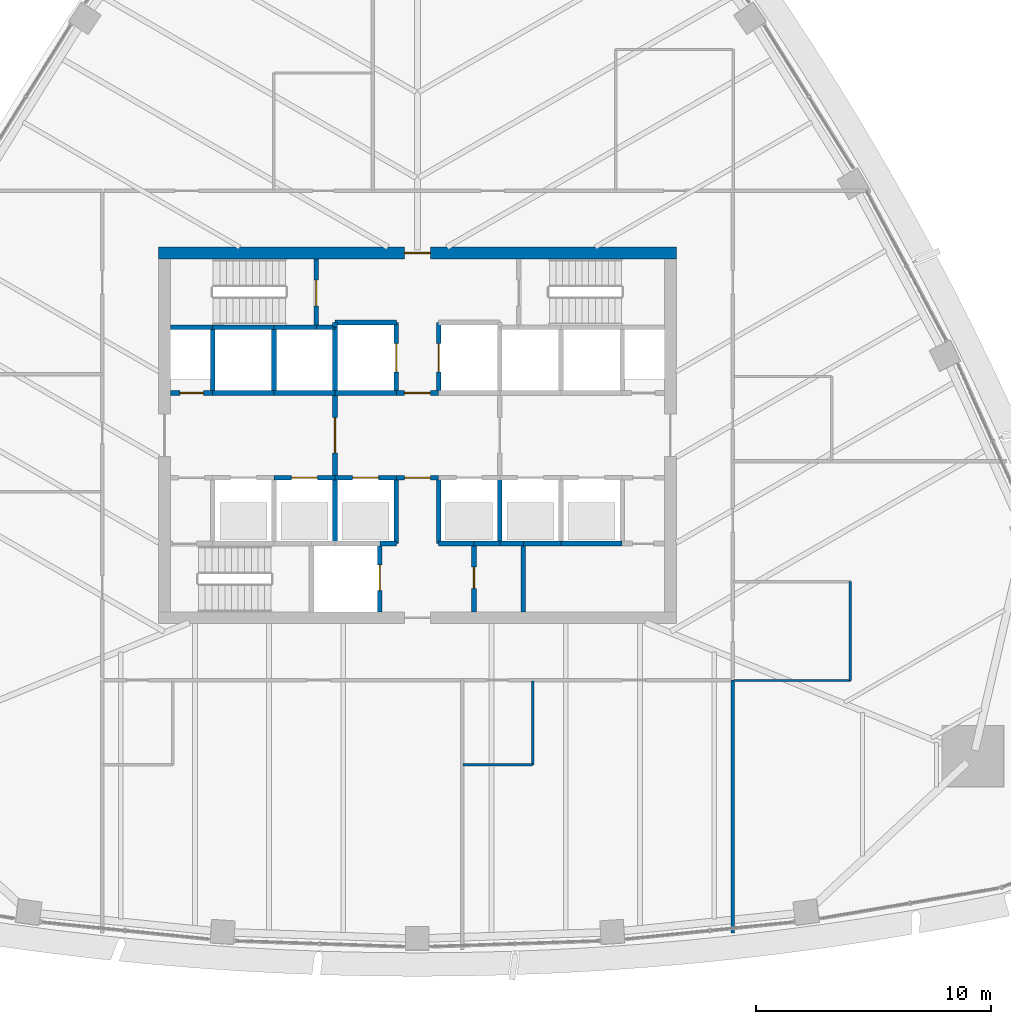
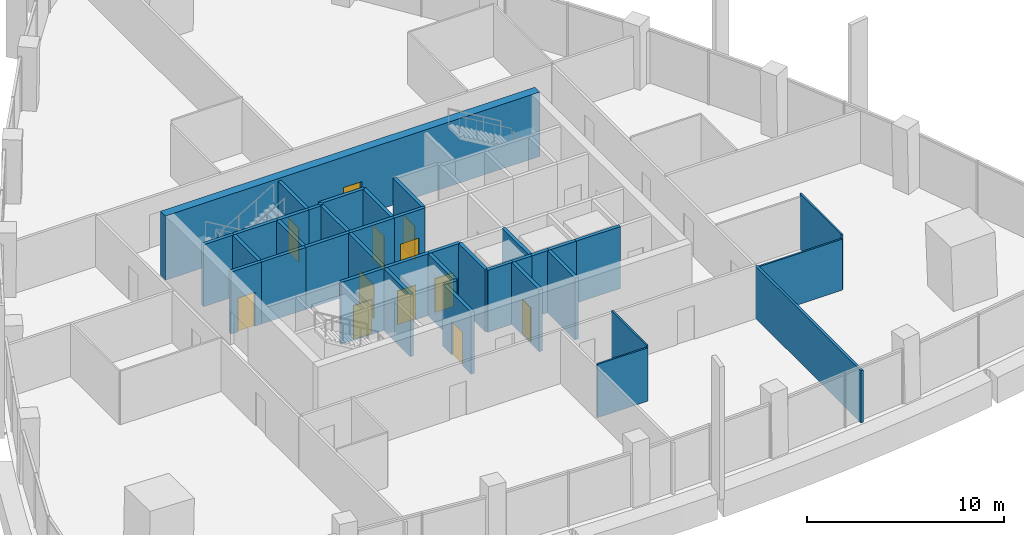
# One storey, part 10 of 19: 40 walls, 12 doors, 12 openings.
"""IFC4 building model written with IfcOpenShell, lengths in metres."""

from ifc_helpers import new_model, si_unit, direction, frame, frame_2d, origin, place, context, subcontext, project, spatial, rectangle, extrude, material, layer, layer_set, type_object, element, fill, save


model = new_model("IFC4")

# Units and contexts
model_context = context("Model", 3, precision=1e-05, world=origin(), true_north=direction((0.0, 1.0)))
body_context = subcontext(model_context, "Body", "Model", "MODEL_VIEW")
ifc_project = project(units=[si_unit("LENGTHUNIT", "METRE"), si_unit("AREAUNIT", "SQUARE_METRE"), si_unit("VOLUMEUNIT", "CUBIC_METRE"), si_unit("PLANEANGLEUNIT", "RADIAN"), si_unit("MASSUNIT", "GRAM", prefix="KILO")], contexts=[model_context])

# Site, building, storey
site_placement = place(None, origin())
site = spatial("IfcSite", under=ifc_project, at=site_placement, CompositionType="ELEMENT")
building_placement = place(site_placement, origin())
building = spatial("IfcBuilding", under=site, at=building_placement, Name="Sierra Prisma Convention Tower", CompositionType="ELEMENT")
storey_placement = place(building_placement, frame((0.0, 0.0, 177.800048828125)))
storey = spatial("IfcBuildingStorey", under=building, at=storey_placement, Name="L39", CompositionType="ELEMENT", Elevation=177.800048828125)

# Walls
ifc_material_1 = material(Name="Gypsum board partition", Category="gypsum")
ifc_layer_1 = layer(ifc_material_1, 0.10009765625)
ifc_layer_set_1 = layer_set([ifc_layer_1], Name="Bathroom partition 100")
wall_type_1 = type_object("IfcWallType", Name="Bathroom partition 100", PredefinedType="PARTITIONING", material=ifc_layer_set_1)
wall_1_placement = place(storey_placement, frame((4.89990234375, -10.429931640625, 0.0), z_axis=(0.0, 0.0, 1.0), x_axis=(0.0, -1.0, 0.0)))
element("IfcWall", 1, at=wall_1_placement, inside=storey, type_object=wall_type_1, Name="Partition L39 bath 7", PredefinedType="PARTITIONING", context=body_context, shape_type="SweptSolid", body=[
    extrude(rectangle(XDim=3.570068359375, YDim=0.10009765625, at=frame_2d((1.78515625, 0.0))), origin(), (0.0, 0.0, 1.0), 3.449951171875),
])
wall_2_placement = place(storey_placement, frame((4.89990234375, -14.0, 0.0), z_axis=(0.0, 0.0, 1.0), x_axis=(-1.0, 0.0, 0.0)))
element("IfcWall", 2, at=wall_2_placement, inside=storey, type_object=wall_type_1, Name="Partition L39 bath 8", PredefinedType="PARTITIONING", context=body_context, shape_type="SweptSolid", body=[
    extrude(rectangle(XDim=2.969970703125, YDim=0.10009765625, at=frame_2d((1.48486328125, 0.0))), origin(), (0.0, 0.0, 1.0), 3.31689453125),
])
wall_3_placement = place(storey_placement, frame((18.39990234375, -6.219970703125, 0.0), z_axis=(0.0, 0.0, 1.0), x_axis=(0.0, -1.0, 0.0)))
element("IfcWall", 3, at=wall_3_placement, inside=storey, type_object=wall_type_1, Name="Partition L39 bath 13", PredefinedType="PARTITIONING", context=body_context, shape_type="SweptSolid", body=[
    extrude(rectangle(XDim=4.199951171875, YDim=0.10009765625, at=frame_2d((2.10009765625, 0.0))), origin(), (0.0, 0.0, 1.0), 3.449951171875),
])
wall_4_placement = place(storey_placement, frame((18.39990234375, -10.419921875, 0.0), z_axis=(0.0, 0.0, 1.0), x_axis=(-1.0, 0.0, 0.0)))
element("IfcWall", 4, at=wall_4_placement, inside=storey, type_object=wall_type_1, Name="Partition L39 bath 14", PredefinedType="PARTITIONING", context=body_context, shape_type="SweptSolid", body=[
    extrude(rectangle(XDim=4.969970703125, YDim=0.10009765625, at=frame_2d((2.48486328125, 0.0))), origin(), (0.0, 0.0, 1.0), 3.166015625),
])

# Wall, opening, door
ifc_material_2 = material(Name="Concrete C30/37", Category="concrete")
ifc_layer_2 = layer(ifc_material_2, 0.199951171875)
ifc_layer_set_2 = layer_set([ifc_layer_2], Name="Core wall RC 200 C30/37")
wall_type_2 = type_object("IfcWallType", Name="Core wall RC 200 C30/37", PredefinedType="SOLIDWALL", material=ifc_layer_set_2)
wall_5_placement = place(storey_placement, frame((-8.699951171875, 1.800048828125, 0.0), z_axis=(0.0, 0.0, 1.0), x_axis=(-1.0, 0.0, 0.0)))
wall_5 = element("IfcWall", 5, at=wall_5_placement, inside=storey, type_object=wall_type_2, Name="Core wall L39 3", PredefinedType="SOLIDWALL", context=body_context, shape_type="SweptSolid", body=[
    extrude(rectangle(XDim=1.800048828125, YDim=0.199951171875, at=frame_2d((0.89990234375, 0.0))), origin(), (0.0, 0.0, 1.0), 3.849853515625),
])
opening_1_placement = place(wall_5_placement, frame((0.39990234375, 0.0, 0.0)))
opening_1 = element("IfcOpeningElement", 6, at=opening_1_placement, cuts=wall_5, Name="Opening L39-D015", PredefinedType="OPENING", context=body_context, shape_type="SweptSolid", body=[
    extrude(rectangle(XDim=1.0, YDim=2.10009765625, at=frame_2d((0.5, 1.050048828125))), frame((0.0, 0.10009765625, 0.0), z_axis=(0.0, -1.0, 0.0), x_axis=(1.0, 0.0, 0.0)), (0.0, 0.0, 1.0), 0.199951171875),
])
ifc_material_3 = material(Name="Steel fire door leaf", Category="steel")
door_type_1 = type_object("IfcDoorType", Name="Door 1000x2100 FD60S", OperationType="SINGLE_SWING_LEFT", PredefinedType="DOOR", material=ifc_material_3)
door_1_placement = place(opening_1_placement, origin())
door_1 = element("IfcDoor", 7, at=door_1_placement, inside=storey, type_object=door_type_1, Name="Door L39 30", OperationType="SINGLE_SWING_LEFT", OverallHeight=2.10009765625, OverallWidth=1.0, PredefinedType="DOOR", context=body_context, shape_type="SweptSolid", body=[
    extrude(rectangle(XDim=1.0, YDim=2.10009765625, at=frame_2d((0.5, 1.050048828125))), frame((0.0, 0.02490234375, 0.0), z_axis=(0.0, -1.0, 0.0), x_axis=(1.0, 0.0, 0.0)), (0.0, 0.0, 1.0), 0.050048828125),
])
fill(opening_1, door_1)

# Walls
wall_6_placement = place(storey_placement, frame((-8.699951171875, 4.60009765625, 0.0), z_axis=(0.0, 0.0, 1.0), x_axis=(-1.0, 0.0, 0.0)))
element("IfcWall", 8, at=wall_6_placement, inside=storey, type_object=wall_type_2, Name="Core wall L39 4", PredefinedType="SOLIDWALL", context=body_context, shape_type="SweptSolid", body=[
    extrude(rectangle(XDim=1.800048828125, YDim=0.199951171875, at=frame_2d((0.89990234375, 0.0))), origin(), (0.0, 0.0, 1.0), 3.849853515625),
])
wall_7_placement = place(storey_placement, frame((-6.10009765625, 1.800048828125, 0.0), z_axis=(0.0, 0.0, 1.0), x_axis=(-1.0, 0.0, 0.0)))
element("IfcWall", 9, at=wall_7_placement, inside=storey, type_object=wall_type_2, Name="Core wall L39 8", PredefinedType="SOLIDWALL", context=body_context, shape_type="SweptSolid", body=[
    extrude(rectangle(XDim=2.599853515625, YDim=0.199951171875, at=frame_2d((1.2998046875, 0.0))), origin(), (0.0, 0.0, 1.0), 3.849853515625),
])
wall_8_placement = place(storey_placement, frame((-8.699951171875, 1.800048828125, 0.0), z_axis=(0.0, 0.0, 1.0), x_axis=(0.0, 1.0, 0.0)))
element("IfcWall", 10, at=wall_8_placement, inside=storey, type_object=wall_type_2, Name="Core wall L39 9", PredefinedType="SOLIDWALL", context=body_context, shape_type="SweptSolid", body=[
    extrude(rectangle(XDim=2.800048828125, YDim=0.199951171875, at=frame_2d((1.39990234375, 0.0))), origin(), (0.0, 0.0, 1.0), 3.849853515625),
])
wall_9_placement = place(storey_placement, frame((-6.10009765625, 4.60009765625, 0.0), z_axis=(0.0, 0.0, 1.0), x_axis=(-1.0, 0.0, 0.0)))
element("IfcWall", 11, at=wall_9_placement, inside=storey, type_object=wall_type_2, Name="Core wall L39 10", PredefinedType="SOLIDWALL", context=body_context, shape_type="SweptSolid", body=[
    extrude(rectangle(XDim=2.599853515625, YDim=0.199951171875, at=frame_2d((1.2998046875, 0.0))), origin(), (0.0, 0.0, 1.0), 3.849853515625),
])

# Wall, opening, door
wall_10_placement = place(storey_placement, frame((-6.10009765625, -1.800048828125, 0.0), z_axis=(0.0, 0.0, 1.0), x_axis=(1.0, 0.0, 0.0)))
wall_10 = element("IfcWall", 12, at=wall_10_placement, inside=storey, type_object=wall_type_2, Name="Core wall L39 13", PredefinedType="SOLIDWALL", context=body_context, shape_type="SweptSolid", body=[
    extrude(rectangle(XDim=2.60009765625, YDim=0.199951171875, at=frame_2d((1.300048828125, 0.0))), origin(), (0.0, 0.0, 1.0), 3.849853515625),
])
opening_2_placement = place(wall_10_placement, frame((0.75, 0.0, 0.0)))
opening_2 = element("IfcOpeningElement", 13, at=opening_2_placement, cuts=wall_10, Name="Opening L39-D002", PredefinedType="OPENING", context=body_context, shape_type="SweptSolid", body=[
    extrude(rectangle(XDim=1.10009765625, YDim=2.10009765625, at=frame_2d((0.550048828125, 1.050048828125))), frame((0.0, 0.10009765625, 0.0), z_axis=(0.0, -1.0, 0.0), x_axis=(1.0, 0.0, 0.0)), (0.0, 0.0, 1.0), 0.199951171875),
])
ifc_material_4 = material(Name="Steel fire door leaf", Category="steel")
door_type_2 = type_object("IfcDoorType", Name="Door 1100x2100 EI 90 sliding lift landing", OperationType="SLIDING_TO_LEFT", PredefinedType="DOOR", material=ifc_material_4)
door_2_placement = place(opening_2_placement, origin())
door_2 = element("IfcDoor", 14, at=door_2_placement, inside=storey, type_object=door_type_2, Name="Door L39 17", OperationType="SLIDING_TO_LEFT", OverallHeight=2.10009765625, OverallWidth=1.10009765625, PredefinedType="DOOR", context=body_context, shape_type="SweptSolid", body=[
    extrude(rectangle(XDim=1.10009765625, YDim=2.10009765625, at=frame_2d((0.550048828125, 1.050048828125))), frame((0.0, 0.02490234375, 0.0), z_axis=(0.0, -1.0, 0.0), x_axis=(1.0, 0.0, 0.0)), (0.0, 0.0, 1.0), 0.050048828125),
])
fill(opening_2, door_2)

# Walls
wall_11_placement = place(storey_placement, frame((-3.5, 1.800048828125, 0.0), z_axis=(0.0, 0.0, 1.0), x_axis=(-1.0, 0.0, 0.0)))
element("IfcWall", 15, at=wall_11_placement, inside=storey, type_object=wall_type_2, Name="Core wall L39 14", PredefinedType="SOLIDWALL", context=body_context, shape_type="SweptSolid", body=[
    extrude(rectangle(XDim=2.60009765625, YDim=0.199951171875, at=frame_2d((1.300048828125, 0.0))), origin(), (0.0, 0.0, 1.0), 3.849853515625),
])
wall_12_placement = place(storey_placement, frame((-6.10009765625, 1.800048828125, 0.0), z_axis=(0.0, 0.0, 1.0), x_axis=(0.0, 1.0, 0.0)))
element("IfcWall", 16, at=wall_12_placement, inside=storey, type_object=wall_type_2, Name="Core wall L39 15", PredefinedType="SOLIDWALL", context=body_context, shape_type="SweptSolid", body=[
    extrude(rectangle(XDim=2.800048828125, YDim=0.199951171875, at=frame_2d((1.39990234375, 0.0))), origin(), (0.0, 0.0, 1.0), 3.849853515625),
])
wall_13_placement = place(storey_placement, frame((-4.300048828125, 4.60009765625, 0.0), z_axis=(0.0, 0.0, 1.0), x_axis=(-1.0, 0.0, 0.0)))
element("IfcWall", 17, at=wall_13_placement, inside=storey, type_object=wall_type_2, Name="Core wall L39 16", PredefinedType="SOLIDWALL", context=body_context, shape_type="SweptSolid", body=[
    extrude(rectangle(XDim=1.800048828125, YDim=0.199951171875, at=frame_2d((0.89990234375, 0.0))), origin(), (0.0, 0.0, 1.0), 3.849853515625),
])
wall_14_placement = place(storey_placement, frame((-3.5, 4.60009765625, 0.0), z_axis=(0.0, 0.0, 1.0), x_axis=(-1.0, 0.0, 0.0)))
element("IfcWall", 18, at=wall_14_placement, inside=storey, type_object=wall_type_2, Name="Core wall L39 19", PredefinedType="SOLIDWALL", context=body_context, shape_type="SweptSolid", body=[
    extrude(rectangle(XDim=0.800048828125, YDim=0.199951171875, at=frame_2d((0.39990234375, 0.0))), origin(), (0.0, 0.0, 1.0), 3.849853515625),
])

# Wall, opening, door
wall_15_placement = place(storey_placement, frame((-4.300048828125, 4.60009765625, 0.0), z_axis=(0.0, 0.0, 1.0), x_axis=(0.0, 1.0, 0.0)))
wall_15 = element("IfcWall", 19, at=wall_15_placement, inside=storey, type_object=wall_type_2, Name="Core wall L39 20", PredefinedType="SOLIDWALL", context=body_context, shape_type="SweptSolid", body=[
    extrude(rectangle(XDim=2.89990234375, YDim=0.199951171875, at=frame_2d((1.449951171875, 0.0))), origin(), (0.0, 0.0, 1.0), 3.849853515625),
])
opening_3_placement = place(wall_15_placement, frame((0.89990234375, 0.0, 0.0)))
opening_3 = element("IfcOpeningElement", 20, at=opening_3_placement, cuts=wall_15, Name="Opening L39-D018", PredefinedType="OPENING", context=body_context, shape_type="SweptSolid", body=[
    extrude(rectangle(XDim=1.10009765625, YDim=2.10009765625, at=frame_2d((0.550048828125, 1.050048828125))), frame((0.0, 0.10009765625, 0.0), z_axis=(0.0, -1.0, 0.0), x_axis=(1.0, 0.0, 0.0)), (0.0, 0.0, 1.0), 0.199951171875),
])
ifc_material_5 = material(Name="Steel fire door leaf", Category="steel")
door_type_3 = type_object("IfcDoorType", Name="Door 1100x2100 FD90S", OperationType="SINGLE_SWING_LEFT", PredefinedType="DOOR", material=ifc_material_5)
door_3_placement = place(opening_3_placement, origin())
door_3 = element("IfcDoor", 21, at=door_3_placement, inside=storey, type_object=door_type_3, Name="Door L39 33", OperationType="SINGLE_SWING_LEFT", OverallHeight=2.10009765625, OverallWidth=1.10009765625, PredefinedType="DOOR", context=body_context, shape_type="SweptSolid", body=[
    extrude(rectangle(XDim=1.10009765625, YDim=2.10009765625, at=frame_2d((0.550048828125, 1.050048828125))), frame((0.0, 0.02490234375, 0.0), z_axis=(0.0, -1.0, 0.0), x_axis=(1.0, 0.0, 0.0)), (0.0, 0.0, 1.0), 0.050048828125),
])
fill(opening_3, door_3)

# Wall
wall_16_placement = place(storey_placement, frame((-3.5, -4.60009765625, 0.0), z_axis=(0.0, 0.0, 1.0), x_axis=(0.0, 1.0, 0.0)))
element("IfcWall", 22, at=wall_16_placement, inside=storey, type_object=wall_type_2, Name="Core wall L39 22", PredefinedType="SOLIDWALL", context=body_context, shape_type="SweptSolid", body=[
    extrude(rectangle(XDim=2.800048828125, YDim=0.199951171875, at=frame_2d((1.39990234375, 0.0))), origin(), (0.0, 0.0, 1.0), 3.849853515625),
])

# Wall, opening, door
wall_17_placement = place(storey_placement, frame((-3.5, -1.800048828125, 0.0), z_axis=(0.0, 0.0, 1.0), x_axis=(1.0, 0.0, 0.0)))
wall_17 = element("IfcWall", 23, at=wall_17_placement, inside=storey, type_object=wall_type_2, Name="Core wall L39 23", PredefinedType="SOLIDWALL", context=body_context, shape_type="SweptSolid", body=[
    extrude(rectangle(XDim=2.60009765625, YDim=0.199951171875, at=frame_2d((1.300048828125, 0.0))), origin(), (0.0, 0.0, 1.0), 3.849853515625),
])
opening_4_placement = place(wall_17_placement, frame((0.75, 0.0, 0.0)))
opening_4 = element("IfcOpeningElement", 24, at=opening_4_placement, cuts=wall_17, Name="Opening L39-D003", PredefinedType="OPENING", context=body_context, shape_type="SweptSolid", body=[
    extrude(rectangle(XDim=1.10009765625, YDim=2.10009765625, at=frame_2d((0.550048828125, 1.050048828125))), frame((0.0, 0.10009765625, 0.0), z_axis=(0.0, -1.0, 0.0), x_axis=(1.0, 0.0, 0.0)), (0.0, 0.0, 1.0), 0.199951171875),
])
door_4_placement = place(opening_4_placement, origin())
door_4 = element("IfcDoor", 25, at=door_4_placement, inside=storey, type_object=door_type_2, Name="Door L39 18", OperationType="SLIDING_TO_LEFT", OverallHeight=2.10009765625, OverallWidth=1.10009765625, PredefinedType="DOOR", context=body_context, shape_type="SweptSolid", body=[
    extrude(rectangle(XDim=1.10009765625, YDim=2.10009765625, at=frame_2d((0.550048828125, 1.050048828125))), frame((0.0, 0.02490234375, 0.0), z_axis=(0.0, -1.0, 0.0), x_axis=(1.0, 0.0, 0.0)), (0.0, 0.0, 1.0), 0.050048828125),
])
fill(opening_4, door_4)

wall_18_placement = place(storey_placement, frame((-3.5, 1.800048828125, 0.0), z_axis=(0.0, 0.0, 1.0), x_axis=(0.0, -1.0, 0.0)))
wall_18 = element("IfcWall", 26, at=wall_18_placement, inside=storey, type_object=wall_type_2, Name="Core wall L39 24", PredefinedType="SOLIDWALL", context=body_context, shape_type="SweptSolid", body=[
    extrude(rectangle(XDim=3.60009765625, YDim=0.199951171875, at=frame_2d((1.800048828125, 0.0))), origin(), (0.0, 0.0, 1.0), 3.849853515625),
])
opening_5_placement = place(wall_18_placement, frame((1.050048828125, 0.0, 0.0)))
opening_5 = element("IfcOpeningElement", 27, at=opening_5_placement, cuts=wall_18, Name="Opening L39-D010", PredefinedType="OPENING", context=body_context, shape_type="SweptSolid", body=[
    extrude(rectangle(XDim=1.5, YDim=2.10009765625, at=frame_2d((0.75, 1.050048828125))), frame((0.0, 0.10009765625, 0.0), z_axis=(0.0, -1.0, 0.0), x_axis=(1.0, 0.0, 0.0)), (0.0, 0.0, 1.0), 0.199951171875),
])
ifc_material_6 = material(Name="Steel fire door leaf", Category="steel")
door_type_4 = type_object("IfcDoorType", Name="Door 1500x2100 FD30S", OperationType="DOUBLE_DOOR_SINGLE_SWING", PredefinedType="DOOR", material=ifc_material_6)
door_5_placement = place(opening_5_placement, origin())
door_5 = element("IfcDoor", 28, at=door_5_placement, inside=storey, type_object=door_type_4, Name="Door L39 25", OperationType="DOUBLE_DOOR_SINGLE_SWING", OverallHeight=2.10009765625, OverallWidth=1.5, PredefinedType="DOOR", context=body_context, shape_type="SweptSolid", body=[
    extrude(rectangle(XDim=1.5, YDim=2.10009765625, at=frame_2d((0.75, 1.050048828125))), frame((0.0, 0.02490234375, 0.0), z_axis=(0.0, -1.0, 0.0), x_axis=(1.0, 0.0, 0.0)), (0.0, 0.0, 1.0), 0.050048828125),
])
fill(opening_5, door_5)

# Walls
wall_19_placement = place(storey_placement, frame((-0.89990234375, 1.800048828125, 0.0), z_axis=(0.0, 0.0, 1.0), x_axis=(-1.0, 0.0, 0.0)))
element("IfcWall", 29, at=wall_19_placement, inside=storey, type_object=wall_type_2, Name="Core wall L39 25", PredefinedType="SOLIDWALL", context=body_context, shape_type="SweptSolid", body=[
    extrude(rectangle(XDim=2.60009765625, YDim=0.199951171875, at=frame_2d((1.300048828125, 0.0))), origin(), (0.0, 0.0, 1.0), 3.849853515625),
])
wall_20_placement = place(storey_placement, frame((-3.5, 4.60009765625, 0.0), z_axis=(0.0, 0.0, 1.0), x_axis=(0.0, -1.0, 0.0)))
element("IfcWall", 30, at=wall_20_placement, inside=storey, type_object=wall_type_2, Name="Core wall L39 26", PredefinedType="SOLIDWALL", context=body_context, shape_type="SweptSolid", body=[
    extrude(rectangle(XDim=2.800048828125, YDim=0.199951171875, at=frame_2d((1.39990234375, 0.0))), origin(), (0.0, 0.0, 1.0), 3.849853515625),
])

# Wall, opening, door
wall_21_placement = place(storey_placement, frame((-0.89990234375, 1.800048828125, 0.0), z_axis=(0.0, 0.0, 1.0), x_axis=(0.0, 1.0, 0.0)))
wall_21 = element("IfcWall", 31, at=wall_21_placement, inside=storey, type_object=wall_type_2, Name="Core wall L39 27", PredefinedType="SOLIDWALL", context=body_context, shape_type="SweptSolid", body=[
    extrude(rectangle(XDim=3.0, YDim=0.199951171875, at=frame_2d((1.5, 0.0))), origin(), (0.0, 0.0, 1.0), 3.849853515625),
])
opening_6_placement = place(wall_21_placement, frame((0.89990234375, 0.0, 0.0)))
opening_6 = element("IfcOpeningElement", 32, at=opening_6_placement, cuts=wall_21, Name="Opening L39-D007", PredefinedType="OPENING", context=body_context, shape_type="SweptSolid", body=[
    extrude(rectangle(XDim=1.199951171875, YDim=2.10009765625, at=frame_2d((0.60009765625, 1.050048828125))), frame((0.0, 0.10009765625, 0.0), z_axis=(0.0, -1.0, 0.0), x_axis=(1.0, 0.0, 0.0)), (0.0, 0.0, 1.0), 0.199951171875),
])
ifc_material_7 = material(Name="Steel fire door leaf", Category="steel")
door_type_5 = type_object("IfcDoorType", Name="Door 1200x2100 EI 90 sliding lift landing", OperationType="SLIDING_TO_LEFT", PredefinedType="DOOR", material=ifc_material_7)
door_6_placement = place(opening_6_placement, origin())
door_6 = element("IfcDoor", 33, at=door_6_placement, inside=storey, type_object=door_type_5, Name="Door L39 22", OperationType="SLIDING_TO_RIGHT", OverallHeight=2.10009765625, OverallWidth=1.199951171875, PredefinedType="DOOR", context=body_context, shape_type="SweptSolid", body=[
    extrude(rectangle(XDim=1.199951171875, YDim=2.10009765625, at=frame_2d((0.60009765625, 1.050048828125))), frame((0.0, 0.02490234375, 0.0), z_axis=(0.0, -1.0, 0.0), x_axis=(1.0, 0.0, 0.0)), (0.0, 0.0, 1.0), 0.050048828125),
])
fill(opening_6, door_6)

# Walls
wall_22_placement = place(storey_placement, frame((-0.89990234375, 4.800048828125, 0.0), z_axis=(0.0, 0.0, 1.0), x_axis=(-1.0, 0.0, 0.0)))
element("IfcWall", 34, at=wall_22_placement, inside=storey, type_object=wall_type_2, Name="Core wall L39 28", PredefinedType="SOLIDWALL", context=body_context, shape_type="SweptSolid", body=[
    extrude(rectangle(XDim=2.60009765625, YDim=0.199951171875, at=frame_2d((1.300048828125, 0.0))), origin(), (0.0, 0.0, 1.0), 3.849853515625),
])
wall_23_placement = place(storey_placement, frame((-3.5, 4.800048828125, 0.0), z_axis=(0.0, 0.0, 1.0), x_axis=(0.0, -1.0, 0.0)))
element("IfcWall", 35, at=wall_23_placement, inside=storey, type_object=wall_type_2, Name="Core wall L39 29", PredefinedType="SOLIDWALL", context=body_context, shape_type="SweptSolid", body=[
    extrude(rectangle(XDim=0.199951171875, YDim=0.199951171875, at=frame_2d((0.10009765625, 0.0))), origin(), (0.0, 0.0, 1.0), 3.849853515625),
])

# Wall, opening, door
wall_24_placement = place(storey_placement, frame((-1.60009765625, -7.5, 0.0), z_axis=(0.0, 0.0, 1.0), x_axis=(0.0, 1.0, 0.0)))
wall_24 = element("IfcWall", 36, at=wall_24_placement, inside=storey, type_object=wall_type_2, Name="Core wall L39 30", PredefinedType="SOLIDWALL", context=body_context, shape_type="SweptSolid", body=[
    extrude(rectangle(XDim=2.89990234375, YDim=0.199951171875, at=frame_2d((1.449951171875, 0.0))), origin(), (0.0, 0.0, 1.0), 3.849853515625),
])
opening_7_placement = place(wall_24_placement, frame((0.89990234375, 0.0, 0.0)))
opening_7 = element("IfcOpeningElement", 37, at=opening_7_placement, cuts=wall_24, Name="Opening L39-D009", PredefinedType="OPENING", context=body_context, shape_type="SweptSolid", body=[
    extrude(rectangle(XDim=1.10009765625, YDim=2.10009765625, at=frame_2d((0.550048828125, 1.050048828125))), frame((0.0, 0.10009765625, 0.0), z_axis=(0.0, -1.0, 0.0), x_axis=(1.0, 0.0, 0.0)), (0.0, 0.0, 1.0), 0.199951171875),
])
door_7_placement = place(opening_7_placement, origin())
door_7 = element("IfcDoor", 38, at=door_7_placement, inside=storey, type_object=door_type_2, Name="Door L39 24", OperationType="SLIDING_TO_RIGHT", OverallHeight=2.10009765625, OverallWidth=1.10009765625, PredefinedType="DOOR", context=body_context, shape_type="SweptSolid", body=[
    extrude(rectangle(XDim=1.10009765625, YDim=2.10009765625, at=frame_2d((0.550048828125, 1.050048828125))), frame((0.0, 0.02490234375, 0.0), z_axis=(0.0, -1.0, 0.0), x_axis=(1.0, 0.0, 0.0)), (0.0, 0.0, 1.0), 0.050048828125),
])
fill(opening_7, door_7)

# Walls
wall_25_placement = place(storey_placement, frame((-1.60009765625, -4.60009765625, 0.0), z_axis=(0.0, 0.0, 1.0), x_axis=(1.0, 0.0, 0.0)))
element("IfcWall", 39, at=wall_25_placement, inside=storey, type_object=wall_type_2, Name="Core wall L39 31", PredefinedType="SOLIDWALL", context=body_context, shape_type="SweptSolid", body=[
    extrude(rectangle(XDim=0.7001953125, YDim=0.199951171875, at=frame_2d((0.35009765625, 0.0))), origin(), (0.0, 0.0, 1.0), 3.849853515625),
])
wall_26_placement = place(storey_placement, frame((-0.89990234375, -4.60009765625, 0.0), z_axis=(0.0, 0.0, 1.0), x_axis=(0.0, 1.0, 0.0)))
element("IfcWall", 40, at=wall_26_placement, inside=storey, type_object=wall_type_2, Name="Core wall L39 32", PredefinedType="SOLIDWALL", context=body_context, shape_type="SweptSolid", body=[
    extrude(rectangle(XDim=2.800048828125, YDim=0.199951171875, at=frame_2d((1.39990234375, 0.0))), origin(), (0.0, 0.0, 1.0), 3.849853515625),
])

# Wall, opening, door
wall_27_placement = place(storey_placement, frame((-0.89990234375, -1.800048828125, 0.0), z_axis=(0.0, 0.0, 1.0), x_axis=(1.0, 0.0, 0.0)))
wall_27 = element("IfcWall", 41, at=wall_27_placement, inside=storey, type_object=wall_type_2, Name="Core wall L39 33", PredefinedType="SOLIDWALL", context=body_context, shape_type="SweptSolid", body=[
    extrude(rectangle(XDim=1.7998046875, YDim=0.199951171875, at=frame_2d((0.89990234375, 0.0))), origin(), (0.0, 0.0, 1.0), 3.849853515625),
])
opening_8_placement = place(wall_27_placement, frame((0.35009765625, 0.0, 0.0)))
opening_8 = element("IfcOpeningElement", 42, at=opening_8_placement, cuts=wall_27, Name="Opening L39-D014", PredefinedType="OPENING", context=body_context, shape_type="SweptSolid", body=[
    extrude(rectangle(XDim=1.10009765625, YDim=2.10009765625, at=frame_2d((0.550048828125, 1.050048828125))), frame((0.0, 0.10009765625, 0.0), z_axis=(0.0, -1.0, 0.0), x_axis=(1.0, 0.0, 0.0)), (0.0, 0.0, 1.0), 0.199951171875),
])
ifc_material_8 = material(Name="Steel fire door leaf", Category="steel")
door_type_6 = type_object("IfcDoorType", Name="Door 1100x2100 FD30S", OperationType="SINGLE_SWING_LEFT", PredefinedType="DOOR", material=ifc_material_8)
door_8_placement = place(opening_8_placement, origin())
door_8 = element("IfcDoor", 43, at=door_8_placement, inside=storey, type_object=door_type_6, Name="Door L39 29", OperationType="SINGLE_SWING_LEFT", OverallHeight=2.10009765625, OverallWidth=1.10009765625, PredefinedType="DOOR", context=body_context, shape_type="SweptSolid", body=[
    extrude(rectangle(XDim=1.10009765625, YDim=2.10009765625, at=frame_2d((0.550048828125, 1.050048828125))), frame((0.0, 0.02490234375, 0.0), z_axis=(0.0, -1.0, 0.0), x_axis=(1.0, 0.0, 0.0)), (0.0, 0.0, 1.0), 0.050048828125),
])
fill(opening_8, door_8)

wall_28_placement = place(storey_placement, frame((0.89990234375, 1.800048828125, 0.0), z_axis=(0.0, 0.0, 1.0), x_axis=(-1.0, 0.0, 0.0)))
wall_28 = element("IfcWall", 44, at=wall_28_placement, inside=storey, type_object=wall_type_2, Name="Core wall L39 34", PredefinedType="SOLIDWALL", context=body_context, shape_type="SweptSolid", body=[
    extrude(rectangle(XDim=1.7998046875, YDim=0.199951171875, at=frame_2d((0.89990234375, 0.0))), origin(), (0.0, 0.0, 1.0), 3.849853515625),
])
opening_9_placement = place(wall_28_placement, frame((0.35009765625, 0.0, 0.0)))
opening_9 = element("IfcOpeningElement", 45, at=opening_9_placement, cuts=wall_28, Name="Opening L39-D013", PredefinedType="OPENING", context=body_context, shape_type="SweptSolid", body=[
    extrude(rectangle(XDim=1.10009765625, YDim=2.10009765625, at=frame_2d((0.550048828125, 1.050048828125))), frame((0.0, 0.10009765625, 0.0), z_axis=(0.0, -1.0, 0.0), x_axis=(1.0, 0.0, 0.0)), (0.0, 0.0, 1.0), 0.199951171875),
])
ifc_material_9 = material(Name="Steel fire door leaf", Category="steel")
door_type_7 = type_object("IfcDoorType", Name="Door 1100x2100 FD60S", OperationType="SINGLE_SWING_LEFT", PredefinedType="DOOR", material=ifc_material_9)
door_9_placement = place(opening_9_placement, origin())
door_9 = element("IfcDoor", 46, at=door_9_placement, inside=storey, type_object=door_type_7, Name="Door L39 28", OperationType="SINGLE_SWING_RIGHT", OverallHeight=2.10009765625, OverallWidth=1.10009765625, PredefinedType="DOOR", context=body_context, shape_type="SweptSolid", body=[
    extrude(rectangle(XDim=1.10009765625, YDim=2.10009765625, at=frame_2d((0.550048828125, 1.050048828125))), frame((0.0, 0.02490234375, 0.0), z_axis=(0.0, -1.0, 0.0), x_axis=(1.0, 0.0, 0.0)), (0.0, 0.0, 1.0), 0.050048828125),
])
fill(opening_9, door_9)

# Walls
wall_29_placement = place(storey_placement, frame((0.89990234375, -1.800048828125, 0.0), z_axis=(0.0, 0.0, 1.0), x_axis=(0.0, -1.0, 0.0)))
element("IfcWall", 47, at=wall_29_placement, inside=storey, type_object=wall_type_2, Name="Core wall L39 36", PredefinedType="SOLIDWALL", context=body_context, shape_type="SweptSolid", body=[
    extrude(rectangle(XDim=2.800048828125, YDim=0.199951171875, at=frame_2d((1.39990234375, 0.0))), origin(), (0.0, 0.0, 1.0), 3.849853515625),
])
wall_30_placement = place(storey_placement, frame((0.89990234375, -4.60009765625, 0.0), z_axis=(0.0, 0.0, 1.0), x_axis=(1.0, 0.0, 0.0)))
element("IfcWall", 48, at=wall_30_placement, inside=storey, type_object=wall_type_2, Name="Core wall L39 37", PredefinedType="SOLIDWALL", context=body_context, shape_type="SweptSolid", body=[
    extrude(rectangle(XDim=1.5, YDim=0.199951171875, at=frame_2d((0.75, 0.0))), origin(), (0.0, 0.0, 1.0), 3.849853515625),
])

# Wall, opening, door
wall_31_placement = place(storey_placement, frame((0.89990234375, 4.800048828125, 0.0), z_axis=(0.0, 0.0, 1.0), x_axis=(0.0, -1.0, 0.0)))
wall_31 = element("IfcWall", 49, at=wall_31_placement, inside=storey, type_object=wall_type_2, Name="Core wall L39 41", PredefinedType="SOLIDWALL", context=body_context, shape_type="SweptSolid", body=[
    extrude(rectangle(XDim=3.0, YDim=0.199951171875, at=frame_2d((1.5, 0.0))), origin(), (0.0, 0.0, 1.0), 3.849853515625),
])
opening_10_placement = place(wall_31_placement, frame((0.89990234375, 0.0, 0.0)))
opening_10 = element("IfcOpeningElement", 50, at=opening_10_placement, cuts=wall_31, Name="Opening L39-D008", PredefinedType="OPENING", context=body_context, shape_type="SweptSolid", body=[
    extrude(rectangle(XDim=1.199951171875, YDim=2.10009765625, at=frame_2d((0.60009765625, 1.050048828125))), frame((0.0, 0.10009765625, 0.0), z_axis=(0.0, -1.0, 0.0), x_axis=(1.0, 0.0, 0.0)), (0.0, 0.0, 1.0), 0.199951171875),
])
door_10_placement = place(opening_10_placement, origin())
door_10 = element("IfcDoor", 51, at=door_10_placement, inside=storey, type_object=door_type_5, Name="Door L39 23", OperationType="SLIDING_TO_LEFT", OverallHeight=2.10009765625, OverallWidth=1.199951171875, PredefinedType="DOOR", context=body_context, shape_type="SweptSolid", body=[
    extrude(rectangle(XDim=1.199951171875, YDim=2.10009765625, at=frame_2d((0.60009765625, 1.050048828125))), frame((0.0, 0.02490234375, 0.0), z_axis=(0.0, -1.0, 0.0), x_axis=(1.0, 0.0, 0.0)), (0.0, 0.0, 1.0), 0.050048828125),
])
fill(opening_10, door_10)

wall_32_placement = place(storey_placement, frame((2.39990234375, -4.60009765625, 0.0), z_axis=(0.0, 0.0, 1.0), x_axis=(0.0, -1.0, 0.0)))
wall_32 = element("IfcWall", 52, at=wall_32_placement, inside=storey, type_object=wall_type_2, Name="Core wall L39 42", PredefinedType="SOLIDWALL", context=body_context, shape_type="SweptSolid", body=[
    extrude(rectangle(XDim=2.89990234375, YDim=0.199951171875, at=frame_2d((1.449951171875, 0.0))), origin(), (0.0, 0.0, 1.0), 3.849853515625),
])
opening_11_placement = place(wall_32_placement, frame((1.0, 0.0, 0.0)))
opening_11 = element("IfcOpeningElement", 53, at=opening_11_placement, cuts=wall_32, Name="Opening L39-D022", PredefinedType="OPENING", context=body_context, shape_type="SweptSolid", body=[
    extrude(rectangle(XDim=0.89990234375, YDim=2.10009765625, at=frame_2d((0.449951171875, 1.050048828125))), frame((0.0, 0.10009765625, 0.0), z_axis=(0.0, -1.0, 0.0), x_axis=(1.0, 0.0, 0.0)), (0.0, 0.0, 1.0), 0.199951171875),
])
ifc_material_10 = material(Name="Steel fire door leaf", Category="steel")
door_type_8 = type_object("IfcDoorType", Name="Door 900x2100 FD30S", OperationType="SINGLE_SWING_LEFT", PredefinedType="DOOR", material=ifc_material_10)
door_11_placement = place(opening_11_placement, origin())
door_11 = element("IfcDoor", 54, at=door_11_placement, inside=storey, type_object=door_type_8, Name="Door L39 37", OperationType="SINGLE_SWING_LEFT", OverallHeight=2.10009765625, OverallWidth=0.89990234375, PredefinedType="DOOR", context=body_context, shape_type="SweptSolid", body=[
    extrude(rectangle(XDim=0.89990234375, YDim=2.10009765625, at=frame_2d((0.449951171875, 1.050048828125))), frame((0.0, 0.02490234375, 0.0), z_axis=(0.0, -1.0, 0.0), x_axis=(1.0, 0.0, 0.0)), (0.0, 0.0, 1.0), 0.050048828125),
])
fill(opening_11, door_11)

# Walls
wall_33_placement = place(storey_placement, frame((3.5, -4.60009765625, 0.0), z_axis=(0.0, 0.0, 1.0), x_axis=(-1.0, 0.0, 0.0)))
element("IfcWall", 55, at=wall_33_placement, inside=storey, type_object=wall_type_2, Name="Core wall L39 43", PredefinedType="SOLIDWALL", context=body_context, shape_type="SweptSolid", body=[
    extrude(rectangle(XDim=1.10009765625, YDim=0.199951171875, at=frame_2d((0.550048828125, 0.0))), origin(), (0.0, 0.0, 1.0), 3.849853515625),
])
wall_34_placement = place(storey_placement, frame((4.5, -4.60009765625, 0.0), z_axis=(0.0, 0.0, 1.0), x_axis=(-1.0, 0.0, 0.0)))
element("IfcWall", 56, at=wall_34_placement, inside=storey, type_object=wall_type_2, Name="Core wall L39 44", PredefinedType="SOLIDWALL", context=body_context, shape_type="SweptSolid", body=[
    extrude(rectangle(XDim=1.0, YDim=0.199951171875, at=frame_2d((0.5, 0.0))), origin(), (0.0, 0.0, 1.0), 3.849853515625),
])
wall_35_placement = place(storey_placement, frame((3.5, -4.60009765625, 0.0), z_axis=(0.0, 0.0, 1.0), x_axis=(0.0, 1.0, 0.0)))
element("IfcWall", 57, at=wall_35_placement, inside=storey, type_object=wall_type_2, Name="Core wall L39 45", PredefinedType="SOLIDWALL", context=body_context, shape_type="SweptSolid", body=[
    extrude(rectangle(XDim=2.800048828125, YDim=0.199951171875, at=frame_2d((1.39990234375, 0.0))), origin(), (0.0, 0.0, 1.0), 3.849853515625),
])
wall_36_placement = place(storey_placement, frame((4.5, -4.60009765625, 0.0), z_axis=(0.0, 0.0, 1.0), x_axis=(0.0, -1.0, 0.0)))
element("IfcWall", 58, at=wall_36_placement, inside=storey, type_object=wall_type_2, Name="Core wall L39 53", PredefinedType="SOLIDWALL", context=body_context, shape_type="SweptSolid", body=[
    extrude(rectangle(XDim=2.89990234375, YDim=0.199951171875, at=frame_2d((1.449951171875, 0.0))), origin(), (0.0, 0.0, 1.0), 3.849853515625),
])
wall_37_placement = place(storey_placement, frame((6.10009765625, -4.60009765625, 0.0), z_axis=(0.0, 0.0, 1.0), x_axis=(-1.0, 0.0, 0.0)))
element("IfcWall", 59, at=wall_37_placement, inside=storey, type_object=wall_type_2, Name="Core wall L39 54", PredefinedType="SOLIDWALL", context=body_context, shape_type="SweptSolid", body=[
    extrude(rectangle(XDim=1.60009765625, YDim=0.199951171875, at=frame_2d((0.800048828125, 0.0))), origin(), (0.0, 0.0, 1.0), 3.849853515625),
])
wall_38_placement = place(storey_placement, frame((8.699951171875, -4.60009765625, 0.0), z_axis=(0.0, 0.0, 1.0), x_axis=(-1.0, 0.0, 0.0)))
element("IfcWall", 60, at=wall_38_placement, inside=storey, type_object=wall_type_2, Name="Core wall L39 55", PredefinedType="SOLIDWALL", context=body_context, shape_type="SweptSolid", body=[
    extrude(rectangle(XDim=2.599853515625, YDim=0.199951171875, at=frame_2d((1.2998046875, 0.0))), origin(), (0.0, 0.0, 1.0), 3.849853515625),
])

# Wall, opening, door
ifc_material_11 = material(Name="Concrete C60/75", Category="concrete")
ifc_layer_3 = layer(ifc_material_11, 0.5)
ifc_layer_set_3 = layer_set([ifc_layer_3], Name="Core wall RC 500 C60/75")
wall_type_3 = type_object("IfcWallType", Name="Core wall RC 500 C60/75", PredefinedType="SHEAR", material=ifc_layer_set_3)
wall_39_placement = place(storey_placement, frame((-11.0, 7.75, 0.0), z_axis=(0.0, 0.0, 1.0), x_axis=(1.0, 0.0, 0.0)))
wall_39 = element("IfcWall", 61, at=wall_39_placement, inside=storey, type_object=wall_type_3, Name="Core wall N L39", PredefinedType="SHEAR", context=body_context, shape_type="SweptSolid", body=[
    extrude(rectangle(XDim=22.0, YDim=0.5, at=frame_2d((11.0, 0.0))), origin(), (0.0, 0.0, 1.0), 4.0),
])
opening_12_placement = place(wall_39_placement, frame((10.449951171875, 0.0, 0.0)))
opening_12 = element("IfcOpeningElement", 62, at=opening_12_placement, cuts=wall_39, Name="Opening L39-D039", PredefinedType="OPENING", context=body_context, shape_type="SweptSolid", body=[
    extrude(rectangle(XDim=1.10009765625, YDim=2.10009765625, at=frame_2d((0.550048828125, 1.050048828125))), frame((0.0, 0.25, 0.0), z_axis=(0.0, -1.0, 0.0), x_axis=(1.0, 0.0, 0.0)), (0.0, 0.0, 1.0), 0.5),
])
door_12_placement = place(opening_12_placement, origin())
door_12 = element("IfcDoor", 63, at=door_12_placement, inside=storey, type_object=door_type_7, Name="Door L39 40", OperationType="SINGLE_SWING_RIGHT", OverallHeight=2.10009765625, OverallWidth=1.10009765625, PredefinedType="DOOR", context=body_context, shape_type="SweptSolid", body=[
    extrude(rectangle(XDim=1.10009765625, YDim=2.10009765625, at=frame_2d((0.550048828125, 1.050048828125))), frame((0.0, 0.02490234375, 0.0), z_axis=(0.0, -1.0, 0.0), x_axis=(1.0, 0.0, 0.0)), (0.0, 0.0, 1.0), 0.050048828125),
])
fill(opening_12, door_12)

# Wall
ifc_material_12 = material(Name="Gypsum board partition", Category="gypsum")
ifc_layer_4 = layer(ifc_material_12, 0.14990234375)
ifc_layer_set_4 = layer_set([ifc_layer_4], Name="Party wall 150 gypsum")
wall_type_4 = type_object("IfcWallType", Name="Party wall 150 gypsum", PredefinedType="PARTITIONING", material=ifc_layer_set_4)
wall_40_placement = place(storey_placement, frame((13.39990234375, -10.39990234375, 0.0), z_axis=(0.0, 0.0, 1.0), x_axis=(0.0, -1.0, 0.0)))
element("IfcWall", 64, at=wall_40_placement, inside=storey, type_object=wall_type_4, Name="Partition L39 party 6", PredefinedType="PARTITIONING", context=body_context, shape_type="SweptSolid", body=[
    extrude(rectangle(XDim=10.74072265625, YDim=0.14990234375, at=frame_2d((5.370361328125, 0.0))), origin(), (0.0, 0.0, 1.0), 3.23388671875),
])

save(model, "model.ifc")
